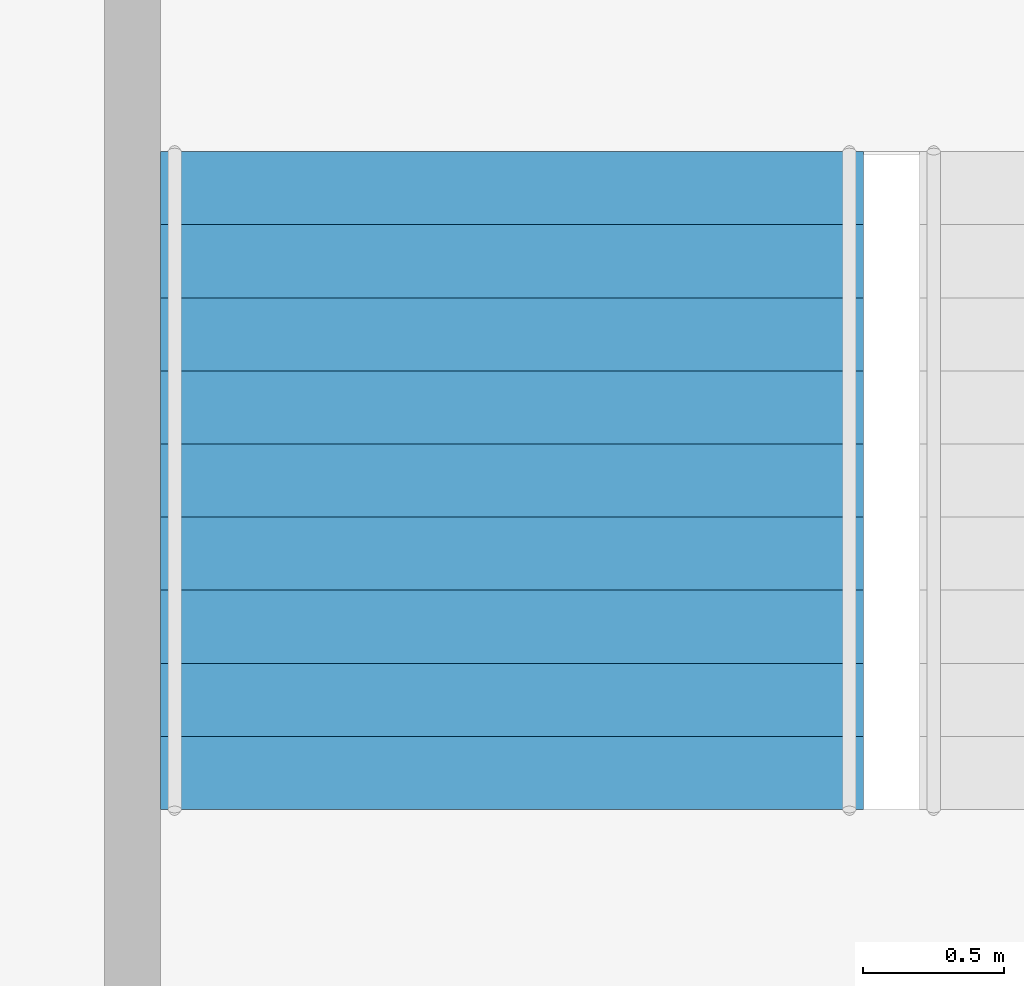
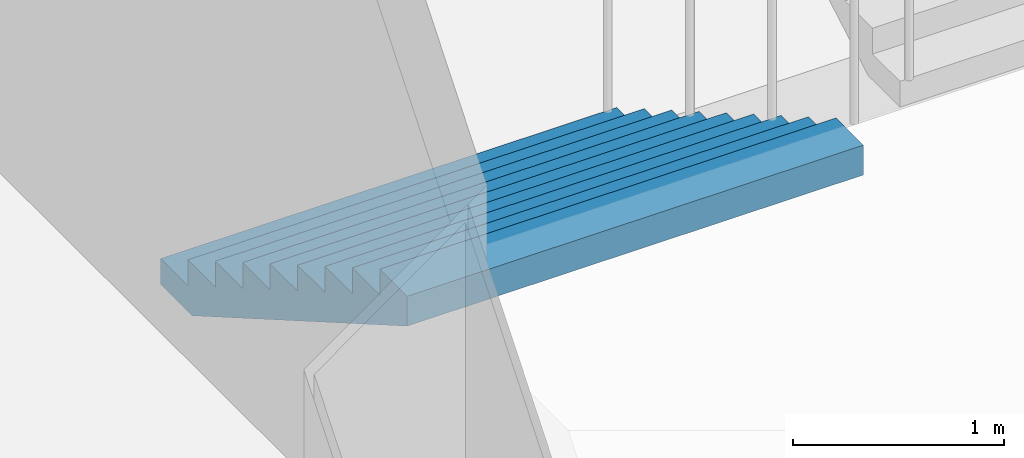
# One storey, part 58 of 100: 1 stair flight, 1 element without a shape of its own.
"""IFC4 building model written with IfcOpenShell, lengths in metres."""

from ifc_helpers import new_model, si_unit, direction, frame, origin, place, context, subcontext, project, spatial, triangles, material, type_object, element, aggregate, save


model = new_model("IFC4")

# Units and contexts
model_context = context("Model", 3, precision=1e-05, world=origin(), true_north=direction((0.0, 1.0)))
body_context = subcontext(model_context, "Body", "Model", "MODEL_VIEW")
ifc_project = project(units=[si_unit("LENGTHUNIT", "METRE"), si_unit("AREAUNIT", "SQUARE_METRE"), si_unit("VOLUMEUNIT", "CUBIC_METRE"), si_unit("PLANEANGLEUNIT", "RADIAN"), si_unit("MASSUNIT", "GRAM", prefix="KILO")], contexts=[model_context])

# Site, building, storey
site_placement = place(None, origin())
site = spatial("IfcSite", under=ifc_project, at=site_placement, CompositionType="ELEMENT")
building_placement = place(site_placement, origin())
building = spatial("IfcBuilding", under=site, at=building_placement, Name="Hakoniwa Tower and Hamabe Station Hall", CompositionType="ELEMENT")
storey_placement = place(building_placement, frame((0.0, 0.0, 9.0)))
storey = spatial("IfcBuildingStorey", under=building, at=storey_placement, Name="L02", CompositionType="ELEMENT", Elevation=9.0)

# Stair, stair flight
ifc_material_1 = material(Name="Concrete C40", Category="concrete")
stair_type = type_object("IfcStairType", Name="STAIR 2500 10X150", PredefinedType="HALF_TURN_STAIR", material=ifc_material_1)
stair_placement = place(storey_placement, origin())
stair = element("IfcStair", 1, at=stair_placement, inside=storey, type_object=stair_type, Name="Escape stair PS1", PredefinedType="HALF_TURN_STAIR")
ifc_material_2 = material(Name="Concrete C40", Category="concrete")
stair_flight_type = type_object("IfcStairFlightType", Name="STAIR FLIGHT 2500", PredefinedType="STRAIGHT", material=ifc_material_2)
stair_flight_placement = place(storey_placement, frame((-47.800048828125, 22.35009765625, 0.0), z_axis=(0.0, 0.0, 1.0), x_axis=(0.0, -1.0, 0.0)))
stair_flight = element("IfcStairFlight", 2, at=stair_flight_placement, type_object=stair_flight_type, Name="PS1 flight 1", NumberOfRisers=10, NumberOfTreads=9, PredefinedType="STRAIGHT", RiserHeight=0.15, TreadLength=0.26, context=body_context, shape_type="Tessellation", body=[
    triangles([(0.0, 1.25, 0.0), (0.260009765625, 1.25, 0.0), (0.300048828125, 1.25, 0.0), (0.52001953125, 1.25, 0.126953125), (0.780029296875, 1.25, 0.27685546875), (1.0400390625, 1.25, 0.427001953125), (1.300048828125, 1.25, 0.576904296875), (1.56005859375, 1.25, 0.72705078125), (1.820068359375, 1.25, 0.876953125), (2.080078125, 1.25, 1.02685546875), (2.340087890625, 1.25, 1.177001953125), (2.340087890625, 1.25, 1.35009765625), (2.080078125, 1.25, 1.35009765625), (2.080078125, 1.25, 1.199951171875), (1.820068359375, 1.25, 1.199951171875), (1.820068359375, 1.25, 1.050048828125), (1.56005859375, 1.25, 1.050048828125), (1.56005859375, 1.25, 0.89990234375), (1.300048828125, 1.25, 0.89990234375), (1.300048828125, 1.25, 0.75), (1.0400390625, 1.25, 0.75), (1.0400390625, 1.25, 0.60009765625), (0.780029296875, 1.25, 0.60009765625), (0.780029296875, 1.25, 0.449951171875), (0.52001953125, 1.25, 0.449951171875), (0.52001953125, 1.25, 0.300048828125), (0.300048828125, 1.25, 0.300048828125), (0.260009765625, 1.25, 0.300048828125), (0.260009765625, 1.25, 0.14990234375), (0.0, 1.25, 0.14990234375), (0.0, 0.06005859375, 0.0), (0.260009765625, 0.06005859375, 0.0), (0.300048828125, 0.06005859375, 0.0), (0.52001953125, 0.06005859375, 0.126953125), (0.780029296875, 0.06005859375, 0.27685546875), (1.0400390625, 0.06005859375, 0.427001953125), (1.300048828125, 0.06005859375, 0.576904296875), (1.56005859375, 0.06005859375, 0.72705078125), (1.820068359375, 0.06005859375, 0.876953125), (2.080078125, 0.06005859375, 1.02685546875), (2.340087890625, 0.06005859375, 1.177001953125), (2.340087890625, 0.06005859375, 1.35009765625), (2.080078125, 0.06005859375, 1.35009765625), (2.080078125, 0.06005859375, 1.199951171875), (1.820068359375, 0.06005859375, 1.199951171875), (1.820068359375, 0.06005859375, 1.050048828125), (1.56005859375, 0.06005859375, 1.050048828125), (1.56005859375, 0.06005859375, 0.89990234375), (1.300048828125, 0.06005859375, 0.89990234375), (1.300048828125, 0.06005859375, 0.75), (1.0400390625, 0.06005859375, 0.75), (1.0400390625, 0.06005859375, 0.60009765625), (0.780029296875, 0.06005859375, 0.60009765625), (0.780029296875, 0.06005859375, 0.449951171875), (0.52001953125, 0.06005859375, 0.449951171875), (0.52001953125, 0.06005859375, 0.300048828125), (0.300048828125, 0.06005859375, 0.300048828125), (0.260009765625, 0.06005859375, 0.300048828125), (0.260009765625, 0.06005859375, 0.14990234375), (0.0, 0.06005859375, 0.14990234375), (0.0, 0.049072265625, 0.0), (0.260009765625, 0.049072265625, 0.0), (0.300048828125, 0.049072265625, 0.0), (0.52001953125, 0.049072265625, 0.126953125), (0.780029296875, 0.049072265625, 0.27685546875), (1.0400390625, 0.049072265625, 0.427001953125), (1.300048828125, 0.049072265625, 0.576904296875), (1.56005859375, 0.049072265625, 0.72705078125), (1.820068359375, 0.049072265625, 0.876953125), (2.080078125, 0.049072265625, 1.02685546875), (2.340087890625, 0.049072265625, 1.177001953125), (2.340087890625, 0.049072265625, 1.35009765625), (2.080078125, 0.049072265625, 1.35009765625), (2.080078125, 0.049072265625, 1.199951171875), (1.820068359375, 0.049072265625, 1.199951171875), (1.820068359375, 0.049072265625, 1.050048828125), (1.56005859375, 0.049072265625, 1.050048828125), (1.56005859375, 0.049072265625, 0.89990234375), (1.300048828125, 0.049072265625, 0.89990234375), (1.300048828125, 0.049072265625, 0.75), (1.0400390625, 0.049072265625, 0.75), (1.0400390625, 0.049072265625, 0.60009765625), (0.780029296875, 0.049072265625, 0.60009765625), (0.780029296875, 0.049072265625, 0.449951171875), (0.52001953125, 0.049072265625, 0.449951171875), (0.52001953125, 0.049072265625, 0.300048828125), (0.300048828125, 0.049072265625, 0.300048828125), (0.260009765625, 0.049072265625, 0.300048828125), (0.260009765625, 0.049072265625, 0.14990234375), (0.0, 0.049072265625, 0.14990234375), (0.0, 0.0380859375, 0.0), (0.260009765625, 0.0380859375, 0.0), (0.300048828125, 0.0380859375, 0.0), (0.52001953125, 0.0380859375, 0.126953125), (0.780029296875, 0.0380859375, 0.27685546875), (1.0400390625, 0.0380859375, 0.427001953125), (1.300048828125, 0.0380859375, 0.576904296875), (1.56005859375, 0.0380859375, 0.72705078125), (1.820068359375, 0.0380859375, 0.876953125), (2.080078125, 0.0380859375, 1.02685546875), (2.340087890625, 0.0380859375, 1.177001953125), (2.340087890625, 0.0380859375, 1.35009765625), (2.080078125, 0.0380859375, 1.35009765625), (2.080078125, 0.0380859375, 1.199951171875), (1.820068359375, 0.0380859375, 1.199951171875), (1.820068359375, 0.0380859375, 1.050048828125), (1.56005859375, 0.0380859375, 1.050048828125), (1.56005859375, 0.0380859375, 0.89990234375), (1.300048828125, 0.0380859375, 0.89990234375), (1.300048828125, 0.0380859375, 0.75), (1.0400390625, 0.0380859375, 0.75), (1.0400390625, 0.0380859375, 0.60009765625), (0.780029296875, 0.0380859375, 0.60009765625), (0.780029296875, 0.0380859375, 0.449951171875), (0.52001953125, 0.0380859375, 0.449951171875), (0.52001953125, 0.0380859375, 0.300048828125), (0.300048828125, 0.0380859375, 0.300048828125), (0.260009765625, 0.0380859375, 0.300048828125), (0.260009765625, 0.0380859375, 0.14990234375), (0.0, 0.0380859375, 0.14990234375), (0.0, 0.02734375, 0.0), (0.260009765625, 0.02734375, 0.0), (0.300048828125, 0.02734375, 0.0), (0.52001953125, 0.02734375, 0.126953125), (0.780029296875, 0.02734375, 0.27685546875), (1.0400390625, 0.02734375, 0.427001953125), (1.300048828125, 0.02734375, 0.576904296875), (1.56005859375, 0.02734375, 0.72705078125), (1.820068359375, 0.02734375, 0.876953125), (2.080078125, 0.02734375, 1.02685546875), (2.340087890625, 0.02734375, 1.177001953125), (2.340087890625, 0.02734375, 1.35009765625), (2.080078125, 0.02734375, 1.35009765625), (2.080078125, 0.02734375, 1.199951171875), (1.820068359375, 0.02734375, 1.199951171875), (1.820068359375, 0.02734375, 1.050048828125), (1.56005859375, 0.02734375, 1.050048828125), (1.56005859375, 0.02734375, 0.89990234375), (1.300048828125, 0.02734375, 0.89990234375), (1.300048828125, 0.02734375, 0.75), (1.0400390625, 0.02734375, 0.75), (1.0400390625, 0.02734375, 0.60009765625), (0.780029296875, 0.02734375, 0.60009765625), (0.780029296875, 0.02734375, 0.449951171875), (0.52001953125, 0.02734375, 0.449951171875), (0.52001953125, 0.02734375, 0.300048828125), (0.300048828125, 0.02734375, 0.300048828125), (0.260009765625, 0.02734375, 0.300048828125), (0.260009765625, 0.02734375, 0.14990234375), (0.0, 0.02734375, 0.14990234375), (0.0, 0.016357421875, 0.0), (0.260009765625, 0.016357421875, 0.0), (0.300048828125, 0.016357421875, 0.0), (0.52001953125, 0.016357421875, 0.126953125), (0.780029296875, 0.016357421875, 0.27685546875), (1.0400390625, 0.016357421875, 0.427001953125), (1.300048828125, 0.016357421875, 0.576904296875), (1.56005859375, 0.016357421875, 0.72705078125), (1.820068359375, 0.016357421875, 0.876953125), (2.080078125, 0.016357421875, 1.02685546875), (2.340087890625, 0.016357421875, 1.177001953125), (2.340087890625, 0.016357421875, 1.35009765625), (2.080078125, 0.016357421875, 1.35009765625), (2.080078125, 0.016357421875, 1.199951171875), (1.820068359375, 0.016357421875, 1.199951171875), (1.820068359375, 0.016357421875, 1.050048828125), (1.56005859375, 0.016357421875, 1.050048828125), (1.56005859375, 0.016357421875, 0.89990234375), (1.300048828125, 0.016357421875, 0.89990234375), (1.300048828125, 0.016357421875, 0.75), (1.0400390625, 0.016357421875, 0.75), (1.0400390625, 0.016357421875, 0.60009765625), (0.780029296875, 0.016357421875, 0.60009765625), (0.780029296875, 0.016357421875, 0.449951171875), (0.52001953125, 0.016357421875, 0.449951171875), (0.52001953125, 0.016357421875, 0.300048828125), (0.300048828125, 0.016357421875, 0.300048828125), (0.260009765625, 0.016357421875, 0.300048828125), (0.260009765625, 0.016357421875, 0.14990234375), (0.0, 0.016357421875, 0.14990234375), (0.0, 0.00537109375, 0.0), (0.260009765625, 0.00537109375, 0.0), (0.300048828125, 0.00537109375, 0.0), (0.52001953125, 0.00537109375, 0.126953125), (0.780029296875, 0.00537109375, 0.27685546875), (1.0400390625, 0.00537109375, 0.427001953125), (1.300048828125, 0.00537109375, 0.576904296875), (1.56005859375, 0.00537109375, 0.72705078125), (1.820068359375, 0.00537109375, 0.876953125), (2.080078125, 0.00537109375, 1.02685546875), (2.340087890625, 0.00537109375, 1.177001953125), (2.340087890625, 0.00537109375, 1.35009765625), (2.080078125, 0.00537109375, 1.35009765625), (2.080078125, 0.00537109375, 1.199951171875), (1.820068359375, 0.00537109375, 1.199951171875), (1.820068359375, 0.00537109375, 1.050048828125), (1.56005859375, 0.00537109375, 1.050048828125), (1.56005859375, 0.00537109375, 0.89990234375), (1.300048828125, 0.00537109375, 0.89990234375), (1.300048828125, 0.00537109375, 0.75), (1.0400390625, 0.00537109375, 0.75), (1.0400390625, 0.00537109375, 0.60009765625), (0.780029296875, 0.00537109375, 0.60009765625), (0.780029296875, 0.00537109375, 0.449951171875), (0.52001953125, 0.00537109375, 0.449951171875), (0.52001953125, 0.00537109375, 0.300048828125), (0.300048828125, 0.00537109375, 0.300048828125), (0.260009765625, 0.00537109375, 0.300048828125), (0.260009765625, 0.00537109375, 0.14990234375), (0.0, 0.00537109375, 0.14990234375), (0.0, -0.00537109375, 0.0), (0.260009765625, -0.00537109375, 0.0), (0.300048828125, -0.00537109375, 0.0), (0.52001953125, -0.00537109375, 0.126953125), (0.780029296875, -0.00537109375, 0.27685546875), (1.0400390625, -0.00537109375, 0.427001953125), (1.300048828125, -0.00537109375, 0.576904296875), (1.56005859375, -0.00537109375, 0.72705078125), (1.820068359375, -0.00537109375, 0.876953125), (2.080078125, -0.00537109375, 1.02685546875), (2.340087890625, -0.00537109375, 1.177001953125), (2.340087890625, -0.00537109375, 1.35009765625), (2.080078125, -0.00537109375, 1.35009765625), (2.080078125, -0.00537109375, 1.199951171875), (1.820068359375, -0.00537109375, 1.199951171875), (1.820068359375, -0.00537109375, 1.050048828125), (1.56005859375, -0.00537109375, 1.050048828125), (1.56005859375, -0.00537109375, 0.89990234375), (1.300048828125, -0.00537109375, 0.89990234375), (1.300048828125, -0.00537109375, 0.75), (1.0400390625, -0.00537109375, 0.75), (1.0400390625, -0.00537109375, 0.60009765625), (0.780029296875, -0.00537109375, 0.60009765625), (0.780029296875, -0.00537109375, 0.449951171875), (0.52001953125, -0.00537109375, 0.449951171875), (0.52001953125, -0.00537109375, 0.300048828125), (0.300048828125, -0.00537109375, 0.300048828125), (0.260009765625, -0.00537109375, 0.300048828125), (0.260009765625, -0.00537109375, 0.14990234375), (0.0, -0.00537109375, 0.14990234375), (0.0, -0.016357421875, 0.0), (0.260009765625, -0.016357421875, 0.0), (0.300048828125, -0.016357421875, 0.0), (0.52001953125, -0.016357421875, 0.126953125), (0.780029296875, -0.016357421875, 0.27685546875), (1.0400390625, -0.016357421875, 0.427001953125), (1.300048828125, -0.016357421875, 0.576904296875), (1.56005859375, -0.016357421875, 0.72705078125), (1.820068359375, -0.016357421875, 0.876953125), (2.080078125, -0.016357421875, 1.02685546875), (2.340087890625, -0.016357421875, 1.177001953125), (2.340087890625, -0.016357421875, 1.35009765625), (2.080078125, -0.016357421875, 1.35009765625), (2.080078125, -0.016357421875, 1.199951171875), (1.820068359375, -0.016357421875, 1.199951171875), (1.820068359375, -0.016357421875, 1.050048828125), (1.56005859375, -0.016357421875, 1.050048828125), (1.56005859375, -0.016357421875, 0.89990234375), (1.300048828125, -0.016357421875, 0.89990234375), (1.300048828125, -0.016357421875, 0.75), (1.0400390625, -0.016357421875, 0.75), (1.0400390625, -0.016357421875, 0.60009765625), (0.780029296875, -0.016357421875, 0.60009765625), (0.780029296875, -0.016357421875, 0.449951171875), (0.52001953125, -0.016357421875, 0.449951171875), (0.52001953125, -0.016357421875, 0.300048828125), (0.300048828125, -0.016357421875, 0.300048828125), (0.260009765625, -0.016357421875, 0.300048828125), (0.260009765625, -0.016357421875, 0.14990234375), (0.0, -0.016357421875, 0.14990234375), (0.0, -0.02734375, 0.0), (0.260009765625, -0.02734375, 0.0), (0.300048828125, -0.02734375, 0.0), (0.52001953125, -0.02734375, 0.126953125), (0.780029296875, -0.02734375, 0.27685546875), (1.0400390625, -0.02734375, 0.427001953125), (1.300048828125, -0.02734375, 0.576904296875), (1.56005859375, -0.02734375, 0.72705078125), (1.820068359375, -0.02734375, 0.876953125), (2.080078125, -0.02734375, 1.02685546875), (2.340087890625, -0.02734375, 1.177001953125), (2.340087890625, -0.02734375, 1.35009765625), (2.080078125, -0.02734375, 1.35009765625), (2.080078125, -0.02734375, 1.199951171875), (1.820068359375, -0.02734375, 1.199951171875), (1.820068359375, -0.02734375, 1.050048828125), (1.56005859375, -0.02734375, 1.050048828125), (1.56005859375, -0.02734375, 0.89990234375), (1.300048828125, -0.02734375, 0.89990234375), (1.300048828125, -0.02734375, 0.75), (1.0400390625, -0.02734375, 0.75), (1.0400390625, -0.02734375, 0.60009765625), (0.780029296875, -0.02734375, 0.60009765625), (0.780029296875, -0.02734375, 0.449951171875), (0.52001953125, -0.02734375, 0.449951171875), (0.52001953125, -0.02734375, 0.300048828125), (0.300048828125, -0.02734375, 0.300048828125), (0.260009765625, -0.02734375, 0.300048828125), (0.260009765625, -0.02734375, 0.14990234375), (0.0, -0.02734375, 0.14990234375), (0.0, -0.0380859375, 0.0), (0.260009765625, -0.0380859375, 0.0), (0.300048828125, -0.0380859375, 0.0), (0.52001953125, -0.0380859375, 0.126953125), (0.780029296875, -0.0380859375, 0.27685546875), (1.0400390625, -0.0380859375, 0.427001953125), (1.300048828125, -0.0380859375, 0.576904296875), (1.56005859375, -0.0380859375, 0.72705078125), (1.820068359375, -0.0380859375, 0.876953125), (2.080078125, -0.0380859375, 1.02685546875), (2.340087890625, -0.0380859375, 1.177001953125), (2.340087890625, -0.0380859375, 1.35009765625), (2.080078125, -0.0380859375, 1.35009765625), (2.080078125, -0.0380859375, 1.199951171875), (1.820068359375, -0.0380859375, 1.199951171875), (1.820068359375, -0.0380859375, 1.050048828125), (1.56005859375, -0.0380859375, 1.050048828125), (1.56005859375, -0.0380859375, 0.89990234375), (1.300048828125, -0.0380859375, 0.89990234375), (1.300048828125, -0.0380859375, 0.75), (1.0400390625, -0.0380859375, 0.75), (1.0400390625, -0.0380859375, 0.60009765625), (0.780029296875, -0.0380859375, 0.60009765625), (0.780029296875, -0.0380859375, 0.449951171875), (0.52001953125, -0.0380859375, 0.449951171875), (0.52001953125, -0.0380859375, 0.300048828125), (0.300048828125, -0.0380859375, 0.300048828125), (0.260009765625, -0.0380859375, 0.300048828125), (0.260009765625, -0.0380859375, 0.14990234375), (0.0, -0.0380859375, 0.14990234375), (0.0, -0.049072265625, 0.0), (0.260009765625, -0.049072265625, 0.0), (0.300048828125, -0.049072265625, 0.0), (0.52001953125, -0.049072265625, 0.126953125), (0.780029296875, -0.049072265625, 0.27685546875), (1.0400390625, -0.049072265625, 0.427001953125), (1.300048828125, -0.049072265625, 0.576904296875), (1.56005859375, -0.049072265625, 0.72705078125), (1.820068359375, -0.049072265625, 0.876953125), (2.080078125, -0.049072265625, 1.02685546875), (2.340087890625, -0.049072265625, 1.177001953125), (2.340087890625, -0.049072265625, 1.35009765625), (2.080078125, -0.049072265625, 1.35009765625), (2.080078125, -0.049072265625, 1.199951171875), (1.820068359375, -0.049072265625, 1.199951171875), (1.820068359375, -0.049072265625, 1.050048828125), (1.56005859375, -0.049072265625, 1.050048828125), (1.56005859375, -0.049072265625, 0.89990234375), (1.300048828125, -0.049072265625, 0.89990234375), (1.300048828125, -0.049072265625, 0.75), (1.0400390625, -0.049072265625, 0.75), (1.0400390625, -0.049072265625, 0.60009765625), (0.780029296875, -0.049072265625, 0.60009765625), (0.780029296875, -0.049072265625, 0.449951171875), (0.52001953125, -0.049072265625, 0.449951171875), (0.52001953125, -0.049072265625, 0.300048828125), (0.300048828125, -0.049072265625, 0.300048828125), (0.260009765625, -0.049072265625, 0.300048828125), (0.260009765625, -0.049072265625, 0.14990234375), (0.0, -0.049072265625, 0.14990234375), (0.0, -0.06005859375, 0.0), (0.260009765625, -0.06005859375, 0.0), (0.300048828125, -0.06005859375, 0.0), (0.52001953125, -0.06005859375, 0.126953125), (0.780029296875, -0.06005859375, 0.27685546875), (1.0400390625, -0.06005859375, 0.427001953125), (1.300048828125, -0.06005859375, 0.576904296875), (1.56005859375, -0.06005859375, 0.72705078125), (1.820068359375, -0.06005859375, 0.876953125), (2.080078125, -0.06005859375, 1.02685546875), (2.340087890625, -0.06005859375, 1.177001953125), (2.340087890625, -0.06005859375, 1.35009765625), (2.080078125, -0.06005859375, 1.35009765625), (2.080078125, -0.06005859375, 1.199951171875), (1.820068359375, -0.06005859375, 1.199951171875), (1.820068359375, -0.06005859375, 1.050048828125), (1.56005859375, -0.06005859375, 1.050048828125), (1.56005859375, -0.06005859375, 0.89990234375), (1.300048828125, -0.06005859375, 0.89990234375), (1.300048828125, -0.06005859375, 0.75), (1.0400390625, -0.06005859375, 0.75), (1.0400390625, -0.06005859375, 0.60009765625), (0.780029296875, -0.06005859375, 0.60009765625), (0.780029296875, -0.06005859375, 0.449951171875), (0.52001953125, -0.06005859375, 0.449951171875), (0.52001953125, -0.06005859375, 0.300048828125), (0.300048828125, -0.06005859375, 0.300048828125), (0.260009765625, -0.06005859375, 0.300048828125), (0.260009765625, -0.06005859375, 0.14990234375), (0.0, -0.06005859375, 0.14990234375), (0.0, -1.25, 0.0), (0.260009765625, -1.25, 0.0), (0.300048828125, -1.25, 0.0), (0.52001953125, -1.25, 0.126953125), (0.780029296875, -1.25, 0.27685546875), (1.0400390625, -1.25, 0.427001953125), (1.300048828125, -1.25, 0.576904296875), (1.56005859375, -1.25, 0.72705078125), (1.820068359375, -1.25, 0.876953125), (2.080078125, -1.25, 1.02685546875), (2.340087890625, -1.25, 1.177001953125), (2.340087890625, -1.25, 1.35009765625), (2.080078125, -1.25, 1.35009765625), (2.080078125, -1.25, 1.199951171875), (1.820068359375, -1.25, 1.199951171875), (1.820068359375, -1.25, 1.050048828125), (1.56005859375, -1.25, 1.050048828125), (1.56005859375, -1.25, 0.89990234375), (1.300048828125, -1.25, 0.89990234375), (1.300048828125, -1.25, 0.75), (1.0400390625, -1.25, 0.75), (1.0400390625, -1.25, 0.60009765625), (0.780029296875, -1.25, 0.60009765625), (0.780029296875, -1.25, 0.449951171875), (0.52001953125, -1.25, 0.449951171875), (0.52001953125, -1.25, 0.300048828125), (0.300048828125, -1.25, 0.300048828125), (0.260009765625, -1.25, 0.300048828125), (0.260009765625, -1.25, 0.14990234375), (0.0, -1.25, 0.14990234375)], [[2, 30, 29], [392, 419, 420], [2, 1, 30], [392, 420, 391], [3, 28, 27], [393, 417, 418], [3, 29, 28], [393, 418, 419], [3, 2, 29], [393, 419, 392], [4, 27, 26], [394, 416, 417], [4, 3, 27], [394, 417, 393], [5, 25, 24], [395, 414, 415], [5, 26, 25], [395, 415, 416], [5, 4, 26], [395, 416, 394], [6, 23, 22], [396, 412, 413], [6, 24, 23], [396, 413, 414], [6, 5, 24], [396, 414, 395], [7, 21, 20], [397, 410, 411], [7, 22, 21], [397, 411, 412], [7, 6, 22], [397, 412, 396], [8, 19, 18], [398, 408, 409], [8, 20, 19], [398, 409, 410], [8, 7, 20], [398, 410, 397], [9, 17, 16], [399, 406, 407], [9, 18, 17], [399, 407, 408], [9, 8, 18], [399, 408, 398], [10, 15, 14], [400, 404, 405], [10, 16, 15], [400, 405, 406], [10, 9, 16], [400, 406, 399], [11, 13, 12], [401, 402, 403], [11, 14, 13], [401, 403, 404], [11, 10, 14], [401, 404, 400], [1, 2, 32], [1, 32, 31], [31, 32, 62], [31, 62, 61], [61, 62, 92], [61, 92, 91], [91, 92, 122], [91, 122, 121], [121, 122, 152], [121, 152, 151], [151, 152, 182], [151, 182, 181], [181, 182, 212], [181, 212, 211], [211, 212, 242], [211, 242, 241], [241, 242, 272], [241, 272, 271], [271, 272, 302], [271, 302, 301], [301, 302, 332], [301, 332, 331], [331, 332, 362], [331, 362, 361], [361, 362, 392], [361, 392, 391], [2, 3, 33], [2, 33, 32], [32, 33, 63], [32, 63, 62], [62, 63, 93], [62, 93, 92], [92, 93, 123], [92, 123, 122], [122, 123, 153], [122, 153, 152], [152, 153, 183], [152, 183, 182], [182, 183, 213], [182, 213, 212], [212, 213, 243], [212, 243, 242], [242, 243, 273], [242, 273, 272], [272, 273, 303], [272, 303, 302], [302, 303, 333], [302, 333, 332], [332, 333, 363], [332, 363, 362], [362, 363, 393], [362, 393, 392], [3, 4, 34], [3, 34, 33], [33, 34, 64], [33, 64, 63], [63, 64, 94], [63, 94, 93], [93, 94, 124], [93, 124, 123], [123, 124, 154], [123, 154, 153], [153, 154, 184], [153, 184, 183], [183, 184, 214], [183, 214, 213], [213, 214, 244], [213, 244, 243], [243, 244, 274], [243, 274, 273], [273, 274, 304], [273, 304, 303], [303, 304, 334], [303, 334, 333], [333, 334, 364], [333, 364, 363], [363, 364, 394], [363, 394, 393], [4, 5, 35], [4, 35, 34], [34, 35, 65], [34, 65, 64], [64, 65, 95], [64, 95, 94], [94, 95, 125], [94, 125, 124], [124, 125, 155], [124, 155, 154], [154, 155, 185], [154, 185, 184], [184, 185, 215], [184, 215, 214], [214, 215, 245], [214, 245, 244], [244, 245, 275], [244, 275, 274], [274, 275, 305], [274, 305, 304], [304, 305, 335], [304, 335, 334], [334, 335, 365], [334, 365, 364], [364, 365, 395], [364, 395, 394], [5, 6, 36], [5, 36, 35], [35, 36, 66], [35, 66, 65], [65, 66, 96], [65, 96, 95], [95, 96, 126], [95, 126, 125], [125, 126, 156], [125, 156, 155], [155, 156, 186], [155, 186, 185], [185, 186, 216], [185, 216, 215], [215, 216, 246], [215, 246, 245], [245, 246, 276], [245, 276, 275], [275, 276, 306], [275, 306, 305], [305, 306, 336], [305, 336, 335], [335, 336, 366], [335, 366, 365], [365, 366, 396], [365, 396, 395], [6, 7, 37], [6, 37, 36], [36, 37, 67], [36, 67, 66], [66, 67, 97], [66, 97, 96], [96, 97, 127], [96, 127, 126], [126, 127, 157], [126, 157, 156], [156, 157, 187], [156, 187, 186], [186, 187, 217], [186, 217, 216], [216, 217, 247], [216, 247, 246], [246, 247, 277], [246, 277, 276], [276, 277, 307], [276, 307, 306], [306, 307, 337], [306, 337, 336], [336, 337, 367], [336, 367, 366], [366, 367, 397], [366, 397, 396], [7, 8, 38], [7, 38, 37], [37, 38, 68], [37, 68, 67], [67, 68, 98], [67, 98, 97], [97, 98, 128], [97, 128, 127], [127, 128, 158], [127, 158, 157], [157, 158, 188], [157, 188, 187], [187, 188, 218], [187, 218, 217], [217, 218, 248], [217, 248, 247], [247, 248, 278], [247, 278, 277], [277, 278, 308], [277, 308, 307], [307, 308, 338], [307, 338, 337], [337, 338, 368], [337, 368, 367], [367, 368, 398], [367, 398, 397], [8, 9, 39], [8, 39, 38], [38, 39, 69], [38, 69, 68], [68, 69, 99], [68, 99, 98], [98, 99, 129], [98, 129, 128], [128, 129, 159], [128, 159, 158], [158, 159, 189], [158, 189, 188], [188, 189, 219], [188, 219, 218], [218, 219, 249], [218, 249, 248], [248, 249, 279], [248, 279, 278], [278, 279, 309], [278, 309, 308], [308, 309, 339], [308, 339, 338], [338, 339, 369], [338, 369, 368], [368, 369, 399], [368, 399, 398], [9, 10, 40], [9, 40, 39], [39, 40, 70], [39, 70, 69], [69, 70, 100], [69, 100, 99], [99, 100, 130], [99, 130, 129], [129, 130, 160], [129, 160, 159], [159, 160, 190], [159, 190, 189], [189, 190, 220], [189, 220, 219], [219, 220, 250], [219, 250, 249], [249, 250, 280], [249, 280, 279], [279, 280, 310], [279, 310, 309], [309, 310, 340], [309, 340, 339], [339, 340, 370], [339, 370, 369], [369, 370, 400], [369, 400, 399], [10, 11, 41], [10, 41, 40], [40, 41, 71], [40, 71, 70], [70, 71, 101], [70, 101, 100], [100, 101, 131], [100, 131, 130], [130, 131, 161], [130, 161, 160], [160, 161, 191], [160, 191, 190], [190, 191, 221], [190, 221, 220], [220, 221, 251], [220, 251, 250], [250, 251, 281], [250, 281, 280], [280, 281, 311], [280, 311, 310], [310, 311, 341], [310, 341, 340], [340, 341, 371], [340, 371, 370], [370, 371, 401], [370, 401, 400], [11, 12, 42], [11, 42, 41], [41, 42, 72], [41, 72, 71], [71, 72, 102], [71, 102, 101], [101, 102, 132], [101, 132, 131], [131, 132, 162], [131, 162, 161], [161, 162, 192], [161, 192, 191], [191, 192, 222], [191, 222, 221], [221, 222, 252], [221, 252, 251], [251, 252, 282], [251, 282, 281], [281, 282, 312], [281, 312, 311], [311, 312, 342], [311, 342, 341], [341, 342, 372], [341, 372, 371], [371, 372, 402], [371, 402, 401], [12, 13, 43], [12, 43, 42], [42, 43, 73], [42, 73, 72], [72, 73, 103], [72, 103, 102], [102, 103, 133], [102, 133, 132], [132, 133, 163], [132, 163, 162], [162, 163, 193], [162, 193, 192], [192, 193, 223], [192, 223, 222], [222, 223, 253], [222, 253, 252], [252, 253, 283], [252, 283, 282], [282, 283, 313], [282, 313, 312], [312, 313, 343], [312, 343, 342], [342, 343, 373], [342, 373, 372], [372, 373, 403], [372, 403, 402], [13, 14, 44], [13, 44, 43], [43, 44, 74], [43, 74, 73], [73, 74, 104], [73, 104, 103], [103, 104, 134], [103, 134, 133], [133, 134, 164], [133, 164, 163], [163, 164, 194], [163, 194, 193], [193, 194, 224], [193, 224, 223], [223, 224, 254], [223, 254, 253], [253, 254, 284], [253, 284, 283], [283, 284, 314], [283, 314, 313], [313, 314, 344], [313, 344, 343], [343, 344, 374], [343, 374, 373], [373, 374, 404], [373, 404, 403], [14, 15, 45], [14, 45, 44], [44, 45, 75], [44, 75, 74], [74, 75, 105], [74, 105, 104], [104, 105, 135], [104, 135, 134], [134, 135, 165], [134, 165, 164], [164, 165, 195], [164, 195, 194], [194, 195, 225], [194, 225, 224], [224, 225, 255], [224, 255, 254], [254, 255, 285], [254, 285, 284], [284, 285, 315], [284, 315, 314], [314, 315, 345], [314, 345, 344], [344, 345, 375], [344, 375, 374], [374, 375, 405], [374, 405, 404], [15, 16, 46], [15, 46, 45], [45, 46, 76], [45, 76, 75], [75, 76, 106], [75, 106, 105], [105, 106, 136], [105, 136, 135], [135, 136, 166], [135, 166, 165], [165, 166, 196], [165, 196, 195], [195, 196, 226], [195, 226, 225], [225, 226, 256], [225, 256, 255], [255, 256, 286], [255, 286, 285], [285, 286, 316], [285, 316, 315], [315, 316, 346], [315, 346, 345], [345, 346, 376], [345, 376, 375], [375, 376, 406], [375, 406, 405], [16, 17, 47], [16, 47, 46], [46, 47, 77], [46, 77, 76], [76, 77, 107], [76, 107, 106], [106, 107, 137], [106, 137, 136], [136, 137, 167], [136, 167, 166], [166, 167, 197], [166, 197, 196], [196, 197, 227], [196, 227, 226], [226, 227, 257], [226, 257, 256], [256, 257, 287], [256, 287, 286], [286, 287, 317], [286, 317, 316], [316, 317, 347], [316, 347, 346], [346, 347, 377], [346, 377, 376], [376, 377, 407], [376, 407, 406], [17, 18, 48], [17, 48, 47], [47, 48, 78], [47, 78, 77], [77, 78, 108], [77, 108, 107], [107, 108, 138], [107, 138, 137], [137, 138, 168], [137, 168, 167], [167, 168, 198], [167, 198, 197], [197, 198, 228], [197, 228, 227], [227, 228, 258], [227, 258, 257], [257, 258, 288], [257, 288, 287], [287, 288, 318], [287, 318, 317], [317, 318, 348], [317, 348, 347], [347, 348, 378], [347, 378, 377], [377, 378, 408], [377, 408, 407], [18, 19, 49], [18, 49, 48], [48, 49, 79], [48, 79, 78], [78, 79, 109], [78, 109, 108], [108, 109, 139], [108, 139, 138], [138, 139, 169], [138, 169, 168], [168, 169, 199], [168, 199, 198], [198, 199, 229], [198, 229, 228], [228, 229, 259], [228, 259, 258], [258, 259, 289], [258, 289, 288], [288, 289, 319], [288, 319, 318], [318, 319, 349], [318, 349, 348], [348, 349, 379], [348, 379, 378], [378, 379, 409], [378, 409, 408], [19, 20, 50], [19, 50, 49], [49, 50, 80], [49, 80, 79], [79, 80, 110], [79, 110, 109], [109, 110, 140], [109, 140, 139], [139, 140, 170], [139, 170, 169], [169, 170, 200], [169, 200, 199], [199, 200, 230], [199, 230, 229], [229, 230, 260], [229, 260, 259], [259, 260, 290], [259, 290, 289], [289, 290, 320], [289, 320, 319], [319, 320, 350], [319, 350, 349], [349, 350, 380], [349, 380, 379], [379, 380, 410], [379, 410, 409], [20, 21, 51], [20, 51, 50], [50, 51, 81], [50, 81, 80], [80, 81, 111], [80, 111, 110], [110, 111, 141], [110, 141, 140], [140, 141, 171], [140, 171, 170], [170, 171, 201], [170, 201, 200], [200, 201, 231], [200, 231, 230], [230, 231, 261], [230, 261, 260], [260, 261, 291], [260, 291, 290], [290, 291, 321], [290, 321, 320], [320, 321, 351], [320, 351, 350], [350, 351, 381], [350, 381, 380], [380, 381, 411], [380, 411, 410], [21, 22, 52], [21, 52, 51], [51, 52, 82], [51, 82, 81], [81, 82, 112], [81, 112, 111], [111, 112, 142], [111, 142, 141], [141, 142, 172], [141, 172, 171], [171, 172, 202], [171, 202, 201], [201, 202, 232], [201, 232, 231], [231, 232, 262], [231, 262, 261], [261, 262, 292], [261, 292, 291], [291, 292, 322], [291, 322, 321], [321, 322, 352], [321, 352, 351], [351, 352, 382], [351, 382, 381], [381, 382, 412], [381, 412, 411], [22, 23, 53], [22, 53, 52], [52, 53, 83], [52, 83, 82], [82, 83, 113], [82, 113, 112], [112, 113, 143], [112, 143, 142], [142, 143, 173], [142, 173, 172], [172, 173, 203], [172, 203, 202], [202, 203, 233], [202, 233, 232], [232, 233, 263], [232, 263, 262], [262, 263, 293], [262, 293, 292], [292, 293, 323], [292, 323, 322], [322, 323, 353], [322, 353, 352], [352, 353, 383], [352, 383, 382], [382, 383, 413], [382, 413, 412], [23, 24, 54], [23, 54, 53], [53, 54, 84], [53, 84, 83], [83, 84, 114], [83, 114, 113], [113, 114, 144], [113, 144, 143], [143, 144, 174], [143, 174, 173], [173, 174, 204], [173, 204, 203], [203, 204, 234], [203, 234, 233], [233, 234, 264], [233, 264, 263], [263, 264, 294], [263, 294, 293], [293, 294, 324], [293, 324, 323], [323, 324, 354], [323, 354, 353], [353, 354, 384], [353, 384, 383], [383, 384, 414], [383, 414, 413], [24, 25, 55], [24, 55, 54], [54, 55, 85], [54, 85, 84], [84, 85, 115], [84, 115, 114], [114, 115, 145], [114, 145, 144], [144, 145, 175], [144, 175, 174], [174, 175, 205], [174, 205, 204], [204, 205, 235], [204, 235, 234], [234, 235, 265], [234, 265, 264], [264, 265, 295], [264, 295, 294], [294, 295, 325], [294, 325, 324], [324, 325, 355], [324, 355, 354], [354, 355, 385], [354, 385, 384], [384, 385, 415], [384, 415, 414], [25, 26, 56], [25, 56, 55], [55, 56, 86], [55, 86, 85], [85, 86, 116], [85, 116, 115], [115, 116, 146], [115, 146, 145], [145, 146, 176], [145, 176, 175], [175, 176, 206], [175, 206, 205], [205, 206, 236], [205, 236, 235], [235, 236, 266], [235, 266, 265], [265, 266, 296], [265, 296, 295], [295, 296, 326], [295, 326, 325], [325, 326, 356], [325, 356, 355], [355, 356, 386], [355, 386, 385], [385, 386, 416], [385, 416, 415], [26, 27, 57], [26, 57, 56], [56, 57, 87], [56, 87, 86], [86, 87, 117], [86, 117, 116], [116, 117, 147], [116, 147, 146], [146, 147, 177], [146, 177, 176], [176, 177, 207], [176, 207, 206], [206, 207, 237], [206, 237, 236], [236, 237, 267], [236, 267, 266], [266, 267, 297], [266, 297, 296], [296, 297, 327], [296, 327, 326], [326, 327, 357], [326, 357, 356], [356, 357, 387], [356, 387, 386], [386, 387, 417], [386, 417, 416], [27, 28, 58], [27, 58, 57], [57, 58, 88], [57, 88, 87], [87, 88, 118], [87, 118, 117], [117, 118, 148], [117, 148, 147], [147, 148, 178], [147, 178, 177], [177, 178, 208], [177, 208, 207], [207, 208, 238], [207, 238, 237], [237, 238, 268], [237, 268, 267], [267, 268, 298], [267, 298, 297], [297, 298, 328], [297, 328, 327], [327, 328, 358], [327, 358, 357], [357, 358, 388], [357, 388, 387], [387, 388, 418], [387, 418, 417], [28, 29, 59], [28, 59, 58], [58, 59, 89], [58, 89, 88], [88, 89, 119], [88, 119, 118], [118, 119, 149], [118, 149, 148], [148, 149, 179], [148, 179, 178], [178, 179, 209], [178, 209, 208], [208, 209, 239], [208, 239, 238], [238, 239, 269], [238, 269, 268], [268, 269, 299], [268, 299, 298], [298, 299, 329], [298, 329, 328], [328, 329, 359], [328, 359, 358], [358, 359, 389], [358, 389, 388], [388, 389, 419], [388, 419, 418], [29, 30, 60], [29, 60, 59], [59, 60, 90], [59, 90, 89], [89, 90, 120], [89, 120, 119], [119, 120, 150], [119, 150, 149], [149, 150, 180], [149, 180, 179], [179, 180, 210], [179, 210, 209], [209, 210, 240], [209, 240, 239], [239, 240, 270], [239, 270, 269], [269, 270, 300], [269, 300, 299], [299, 300, 330], [299, 330, 329], [329, 330, 360], [329, 360, 359], [359, 360, 390], [359, 390, 389], [389, 390, 420], [389, 420, 419], [30, 1, 31], [30, 31, 60], [60, 31, 61], [60, 61, 90], [90, 61, 91], [90, 91, 120], [120, 91, 121], [120, 121, 150], [150, 121, 151], [150, 151, 180], [180, 151, 181], [180, 181, 210], [210, 181, 211], [210, 211, 240], [240, 211, 241], [240, 241, 270], [270, 241, 271], [270, 271, 300], [300, 271, 301], [300, 301, 330], [330, 301, 331], [330, 331, 360], [360, 331, 361], [360, 361, 390], [390, 361, 391], [390, 391, 420]], closed=True),
])
aggregate(stair, [stair_flight])

save(model, "model.ifc")
